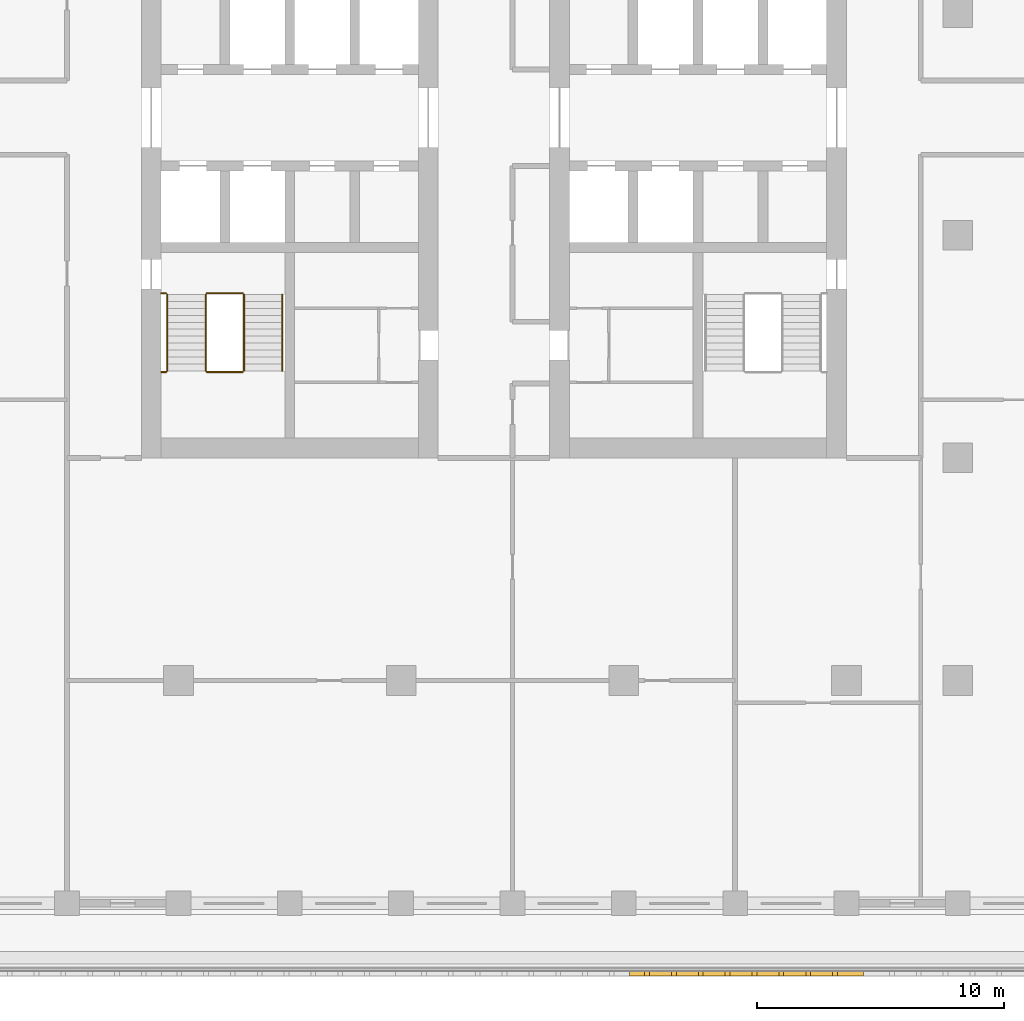
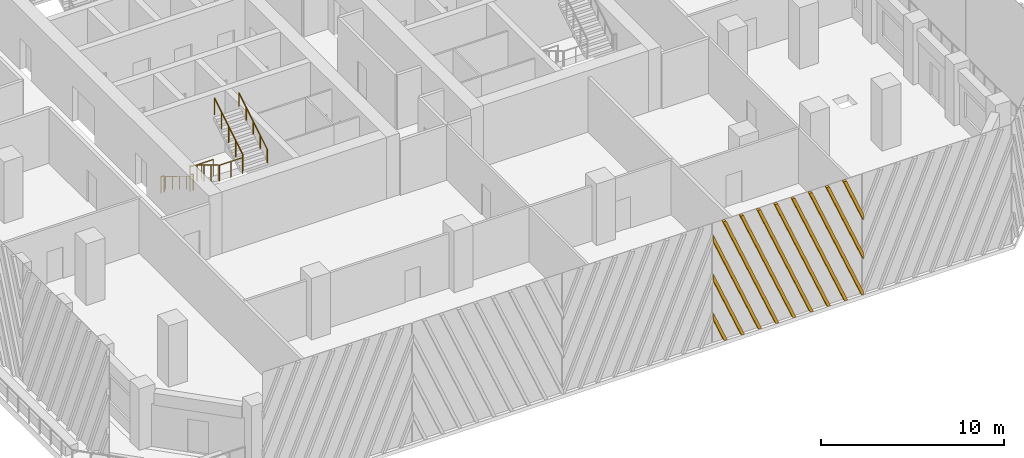
# One storey, part 10 of 16: 8 railings, 1 shading device.
"""IFC4 building model written with IfcOpenShell, lengths in metres."""

from ifc_helpers import new_model, si_unit, direction, frame, origin, origin_2d, place, context, subcontext, project, spatial, polyline, circle, outline, extrude, source, transform, mapped, material, type_object, element, save


model = new_model("IFC4")

# Units and contexts
model_context = context("Model", 3, precision=1e-05, world=origin(), true_north=direction((0.0, 1.0)))
body_context = subcontext(model_context, "Body", "Model", "MODEL_VIEW")
ifc_project = project(units=[si_unit("LENGTHUNIT", "METRE"), si_unit("AREAUNIT", "SQUARE_METRE"), si_unit("VOLUMEUNIT", "CUBIC_METRE"), si_unit("PLANEANGLEUNIT", "RADIAN"), si_unit("MASSUNIT", "GRAM", prefix="KILO")], contexts=[model_context])

# Site, building, storey
site_placement = place(None, origin())
site = spatial("IfcSite", under=ifc_project, at=site_placement, CompositionType="ELEMENT")
building_placement = place(site_placement, origin())
building = spatial("IfcBuilding", under=site, at=building_placement, Name="Corbel Stack Research Tower", CompositionType="ELEMENT")
storey_placement = place(building_placement, frame((0.0, 0.0, 191.5)))
storey = spatial("IfcBuildingStorey", under=building, at=storey_placement, Name="L43", CompositionType="ELEMENT", Elevation=191.5)

# Railings
ifc_material_1 = material(Name="Steel S355", Category="steel")
railing_type_1 = type_object("IfcRailingType", Name="Stair guard 1100", PredefinedType="GUARDRAIL", material=ifc_material_1)
railing_1_placement = place(storey_placement, frame((-7.89990234375, -2.39990234375, 0.1708984375)))
element("IfcRailing", 1, at=railing_1_placement, inside=storey, type_object=railing_type_1, Name="L43 ST-W1 stair guard 1", PredefinedType="GUARDRAIL", context=body_context, shape_type="SweptSolid", body=[
    extrude(circle(Radius=0.02392578125, at=origin_2d()), frame((0.0, 0.0, 1.076171875), z_axis=(0.0, -0.853666305674, 0.52082035152), x_axis=(1.0, 0.0, 0.0)), (0.0, 0.0, 1.0), 3.608154296875),
    extrude(circle(Radius=0.02099609375, at=origin_2d()), origin(), (0.0, 0.0, 1.0), 1.052001953125),
    extrude(circle(Radius=0.02099609375, at=origin_2d()), frame((0.0, -0.77001953125, 0.4697265625)), (0.0, 0.0, 1.0), 1.052001953125),
    extrude(circle(Radius=0.02099609375, at=origin_2d()), frame((0.0, -1.5400390625, 0.939453125)), (0.0, 0.0, 1.0), 1.052001953125),
    extrude(circle(Radius=0.02099609375, at=origin_2d()), frame((0.0, -2.31005859375, 1.409423828125)), (0.0, 0.0, 1.0), 1.052001953125),
    extrude(circle(Radius=0.02099609375, at=origin_2d()), frame((0.0, -3.080078125, 1.879150390625)), (0.0, 0.0, 1.0), 1.052001953125),
])
railing_2_placement = place(storey_placement, frame((-7.85009765625, -5.530029296875, 2.050048828125)))
element("IfcRailing", 2, at=railing_2_placement, inside=storey, type_object=railing_type_1, Name="L43 ST-W1 stair guard 2", PredefinedType="GUARDRAIL", context=body_context, shape_type="SweptSolid", body=[
    extrude(circle(Radius=0.02392578125, at=origin_2d()), frame((0.0, 0.0, 1.076171875), z_axis=(1.0, 0.0, 0.0), x_axis=(0.0, 1.0, 0.0)), (0.0, 0.0, 1.0), 1.4501953125),
    extrude(circle(Radius=0.02099609375, at=origin_2d()), origin(), (0.0, 0.0, 1.0), 1.052001953125),
    extrude(circle(Radius=0.02099609375, at=origin_2d()), frame((0.72509765625, 0.0, 0.0)), (0.0, 0.0, 1.0), 1.052001953125),
    extrude(circle(Radius=0.02099609375, at=origin_2d()), frame((1.4501953125, 0.0, 0.0)), (0.0, 0.0, 1.0), 1.052001953125),
])
railing_3_placement = place(storey_placement, frame((-9.699951171875, -5.530029296875, 2.050048828125)))
element("IfcRailing", 3, at=railing_3_placement, inside=storey, type_object=railing_type_1, Name="L43 ST-W1 stair guard 3", PredefinedType="GUARDRAIL", context=body_context, shape_type="SweptSolid", body=[
    extrude(circle(Radius=0.02392578125, at=origin_2d()), frame((0.0, 0.0, 1.076171875), z_axis=(1.0, 0.0, 0.0), x_axis=(0.0, 1.0, 0.0)), (0.0, 0.0, 1.0), 0.199951171875),
    extrude(circle(Radius=0.02099609375, at=origin_2d()), origin(), (0.0, 0.0, 1.0), 1.052001953125),
    extrude(circle(Radius=0.02099609375, at=origin_2d()), frame((0.199951171875, 0.0, 0.0)), (0.0, 0.0, 1.0), 1.052001953125),
])
railing_4_placement = place(storey_placement, frame((-6.35009765625, -5.47998046875, 2.220947265625)))
element("IfcRailing", 4, at=railing_4_placement, inside=storey, type_object=railing_type_1, Name="L43 ST-W1 stair guard 4", PredefinedType="GUARDRAIL", context=body_context, shape_type="SweptSolid", body=[
    extrude(circle(Radius=0.02392578125, at=origin_2d()), frame((0.0, 0.0, 1.076171875), z_axis=(0.0, 0.853666305674, 0.52082035152), x_axis=(-1.0, 0.0, 0.0)), (0.0, 0.0, 1.0), 3.608154296875),
    extrude(circle(Radius=0.02099609375, at=origin_2d()), origin(), (0.0, 0.0, 1.0), 1.052001953125),
    extrude(circle(Radius=0.02099609375, at=origin_2d()), frame((0.0, 0.77001953125, 0.4697265625)), (0.0, 0.0, 1.0), 1.052001953125),
    extrude(circle(Radius=0.02099609375, at=origin_2d()), frame((0.0, 1.5400390625, 0.939453125)), (0.0, 0.0, 1.0), 1.052001953125),
    extrude(circle(Radius=0.02099609375, at=origin_2d()), frame((0.0, 2.31005859375, 1.409423828125)), (0.0, 0.0, 1.0), 1.052001953125),
    extrude(circle(Radius=0.02099609375, at=origin_2d()), frame((0.0, 3.080078125, 1.879150390625)), (0.0, 0.0, 1.0), 1.052001953125),
])
railing_5_placement = place(storey_placement, frame((-7.85009765625, -2.35009765625, 0.0)))
element("IfcRailing", 5, at=railing_5_placement, inside=storey, type_object=railing_type_1, Name="L43 ST-W1 stair guard 5", PredefinedType="GUARDRAIL", context=body_context, shape_type="SweptSolid", body=[
    extrude(circle(Radius=0.02392578125, at=origin_2d()), frame((0.0, 0.0, 1.076171875), z_axis=(1.0, 0.0, 0.0), x_axis=(0.0, 1.0, 0.0)), (0.0, 0.0, 1.0), 1.4501953125),
    extrude(circle(Radius=0.02099609375, at=origin_2d()), origin(), (0.0, 0.0, 1.0), 1.052001953125),
    extrude(circle(Radius=0.02099609375, at=origin_2d()), frame((0.72509765625, 0.0, 0.0)), (0.0, 0.0, 1.0), 1.052001953125),
    extrude(circle(Radius=0.02099609375, at=origin_2d()), frame((1.4501953125, 0.0, 0.0)), (0.0, 0.0, 1.0), 1.052001953125),
])
railing_6_placement = place(storey_placement, frame((-9.699951171875, -2.35009765625, 0.0)))
element("IfcRailing", 6, at=railing_6_placement, inside=storey, type_object=railing_type_1, Name="L43 ST-W1 stair guard 6", PredefinedType="GUARDRAIL", context=body_context, shape_type="SweptSolid", body=[
    extrude(circle(Radius=0.02392578125, at=origin_2d()), frame((0.0, 0.0, 1.076171875), z_axis=(1.0, 0.0, 0.0), x_axis=(0.0, 1.0, 0.0)), (0.0, 0.0, 1.0), 0.199951171875),
    extrude(circle(Radius=0.02099609375, at=origin_2d()), origin(), (0.0, 0.0, 1.0), 1.052001953125),
    extrude(circle(Radius=0.02099609375, at=origin_2d()), frame((0.199951171875, 0.0, 0.0)), (0.0, 0.0, 1.0), 1.052001953125),
])
ifc_material_2 = material(Name="Steel S355", Category="steel")
railing_type_2 = type_object("IfcRailingType", Name="Stair handrail 900", PredefinedType="HANDRAIL", material=ifc_material_2)
railing_7_placement = place(storey_placement, frame((-9.449951171875, -2.39990234375, 0.1708984375)))
element("IfcRailing", 7, at=railing_7_placement, inside=storey, type_object=railing_type_2, Name="L43 ST-W1 stair handrail 1", PredefinedType="HANDRAIL", context=body_context, shape_type="SweptSolid", body=[
    extrude(circle(Radius=0.02392578125, at=origin_2d()), frame((0.0, 0.0, 0.8759765625), z_axis=(0.0, -0.853666305674, 0.52082035152), x_axis=(1.0, 0.0, 0.0)), (0.0, 0.0, 1.0), 3.608154296875),
    extrude(circle(Radius=0.02099609375, at=origin_2d()), origin(), (0.0, 0.0, 1.0), 0.851806640625),
    extrude(circle(Radius=0.02099609375, at=origin_2d()), frame((0.0, -0.77001953125, 0.4697265625)), (0.0, 0.0, 1.0), 0.851806640625),
    extrude(circle(Radius=0.02099609375, at=origin_2d()), frame((0.0, -1.5400390625, 0.939453125)), (0.0, 0.0, 1.0), 0.851806640625),
    extrude(circle(Radius=0.02099609375, at=origin_2d()), frame((0.0, -2.31005859375, 1.409423828125)), (0.0, 0.0, 1.0), 0.851806640625),
    extrude(circle(Radius=0.02099609375, at=origin_2d()), frame((0.0, -3.080078125, 1.879150390625)), (0.0, 0.0, 1.0), 0.851806640625),
])
railing_8_placement = place(storey_placement, frame((-4.800048828125, -5.47998046875, 2.220947265625)))
element("IfcRailing", 8, at=railing_8_placement, inside=storey, type_object=railing_type_2, Name="L43 ST-W1 stair handrail 2", PredefinedType="HANDRAIL", context=body_context, shape_type="SweptSolid", body=[
    extrude(circle(Radius=0.02392578125, at=origin_2d()), frame((0.0, 0.0, 0.8759765625), z_axis=(0.0, 0.853666305674, 0.52082035152), x_axis=(-1.0, 0.0, 0.0)), (0.0, 0.0, 1.0), 3.608154296875),
    extrude(circle(Radius=0.02099609375, at=origin_2d()), origin(), (0.0, 0.0, 1.0), 0.851806640625),
    extrude(circle(Radius=0.02099609375, at=origin_2d()), frame((0.0, 0.77001953125, 0.4697265625)), (0.0, 0.0, 1.0), 0.851806640625),
    extrude(circle(Radius=0.02099609375, at=origin_2d()), frame((0.0, 1.5400390625, 0.939453125)), (0.0, 0.0, 1.0), 0.851806640625),
    extrude(circle(Radius=0.02099609375, at=origin_2d()), frame((0.0, 2.31005859375, 1.409423828125)), (0.0, 0.0, 1.0), 0.851806640625),
    extrude(circle(Radius=0.02099609375, at=origin_2d()), frame((0.0, 3.080078125, 1.879150390625)), (0.0, 0.0, 1.0), 0.851806640625),
])

# Shading device
ifc_material_3 = material(Name="Precast terracotta", Category="masonry")
shading_device_type = type_object("IfcShadingDeviceType", Name="Terracotta screen panel", PredefinedType="USERDEFINED", material=ifc_material_3)
shared_shape = source(origin(), body_context, "Body", "SweptSolid", [
    extrude(outline(polyline([(0.873291015625, 0.0), (0.0, 2.091064453125), (0.0, 1.635986328125), (0.683349609375, 0.0), (0.873291015625, 0.0)])), frame((0.0, 0.0, 0.0), z_axis=(0.0, -1.0, 0.0), x_axis=(1.0, 0.0, 0.0)), (0.0, 0.0, 1.0), 0.179931640625),
    extrude(outline(polyline([(1.9580078125, 0.0), (0.0, 4.688232421875), (0.0, 4.2333984375), (1.76806640625, 0.0), (1.9580078125, 0.0)])), frame((0.0, 0.0, 0.0), z_axis=(0.0, -1.0, 0.0), x_axis=(1.0, 0.0, 0.0)), (0.0, 0.0, 1.0), 0.179931640625),
    extrude(outline(polyline([(3.04248046875, 0.0), (0.0, 7.285400390625), (0.0, 6.83056640625), (2.8525390625, 0.0), (3.04248046875, 0.0)])), frame((0.0, 0.0, 0.0), z_axis=(0.0, -1.0, 0.0), x_axis=(1.0, 0.0, 0.0)), (0.0, 0.0, 1.0), 0.179931640625),
    extrude(outline(polyline([(4.127197265625, 0.0), (0.80712890625, 7.949951171875), (0.6171875, 7.949951171875), (3.937255859375, 0.0), (4.127197265625, 0.0)])), frame((0.0, 0.0, 0.0), z_axis=(0.0, -1.0, 0.0), x_axis=(1.0, 0.0, 0.0)), (0.0, 0.0, 1.0), 0.179931640625),
    extrude(outline(polyline([(5.2119140625, 0.0), (1.891845703125, 7.949951171875), (1.701904296875, 7.949951171875), (5.02197265625, 0.0), (5.2119140625, 0.0)])), frame((0.0, 0.0, 0.0), z_axis=(0.0, -1.0, 0.0), x_axis=(1.0, 0.0, 0.0)), (0.0, 0.0, 1.0), 0.179931640625),
    extrude(outline(polyline([(6.296630859375, 0.0), (2.9765625, 7.949951171875), (2.78662109375, 7.949951171875), (6.106689453125, 0.0), (6.296630859375, 0.0)])), frame((0.0, 0.0, 0.0), z_axis=(0.0, -1.0, 0.0), x_axis=(1.0, 0.0, 0.0)), (0.0, 0.0, 1.0), 0.179931640625),
    extrude(outline(polyline([(7.38134765625, 0.0), (4.06103515625, 7.949951171875), (3.87109375, 7.949951171875), (7.19140625, 0.0), (7.38134765625, 0.0)])), frame((0.0, 0.0, 0.0), z_axis=(0.0, -1.0, 0.0), x_axis=(1.0, 0.0, 0.0)), (0.0, 0.0, 1.0), 0.179931640625),
    extrude(outline(polyline([(8.466064453125, 0.0), (5.145751953125, 7.949951171875), (4.955810546875, 7.949951171875), (8.27587890625, 0.0), (8.466064453125, 0.0)])), frame((0.0, 0.0, 0.0), z_axis=(0.0, -1.0, 0.0), x_axis=(1.0, 0.0, 0.0)), (0.0, 0.0, 1.0), 0.179931640625),
    extrude(outline(polyline([(9.45556640625, 0.0), (9.45556640625, 0.2275390625), (6.23046875, 7.949951171875), (6.04052734375, 7.949951171875), (9.360595703125, 0.0), (9.45556640625, 0.0)])), frame((0.0, 0.0, 0.0), z_axis=(0.0, -1.0, 0.0), x_axis=(1.0, 0.0, 0.0)), (0.0, 0.0, 1.0), 0.179931640625),
    extrude(outline(polyline([(7.315185546875, 7.949951171875), (7.125, 7.949951171875), (9.45556640625, 2.36962890625), (9.45556640625, 2.82470703125), (7.315185546875, 7.949951171875)])), frame((0.0, 0.0, 0.0), z_axis=(0.0, -1.0, 0.0), x_axis=(1.0, 0.0, 0.0)), (0.0, 0.0, 1.0), 0.179931640625),
    extrude(outline(polyline([(8.39990234375, 7.949951171875), (8.209716796875, 7.949951171875), (9.45556640625, 4.966796875), (9.45556640625, 5.421875), (8.39990234375, 7.949951171875)])), frame((0.0, 0.0, 0.0), z_axis=(0.0, -1.0, 0.0), x_axis=(1.0, 0.0, 0.0)), (0.0, 0.0, 1.0), 0.179931640625),
])
shading_device_placement = place(storey_placement, frame((9.227783203125, -29.75, 0.0), z_axis=(0.0, 0.0, 1.0), x_axis=(1.0, 0.0, 0.0)))
element("IfcShadingDevice", 9, at=shading_device_placement, inside=storey, type_object=shading_device_type, Name="Terracotta screen L43 S4", ObjectType="SCREEN", PredefinedType="USERDEFINED", context=body_context, shape_type="MappedRepresentation", body=[
    mapped(shared_shape, transform((0.0, 0.0, 0.0))),
])

save(model, "model.ifc")
